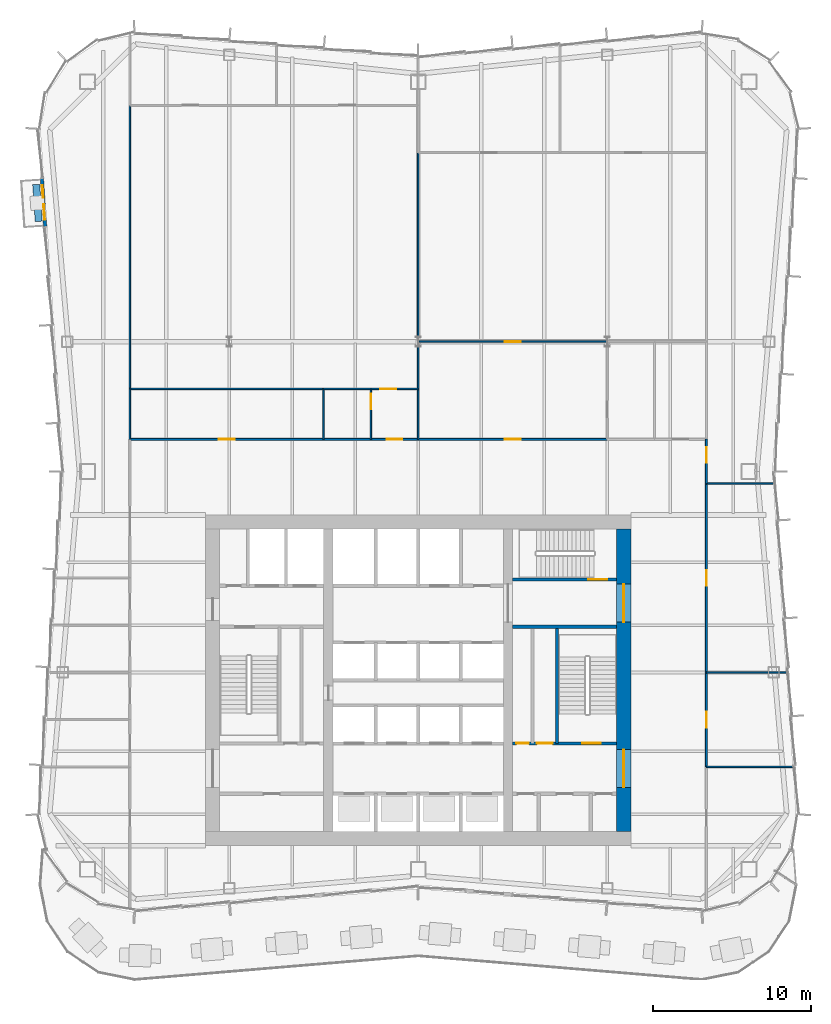
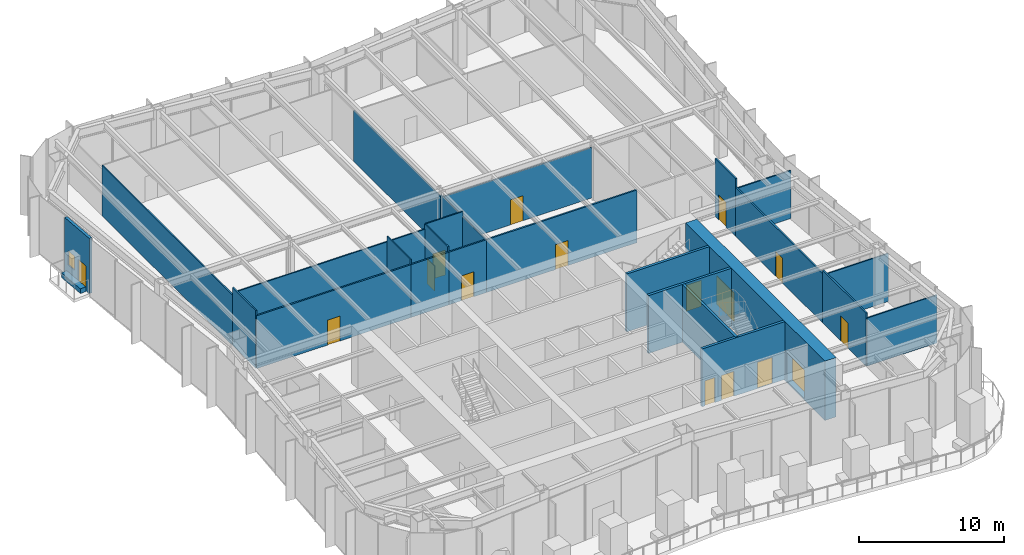
# One storey, part 11 of 16: 28 walls, 16 doors, 1 window, 17 openings.
"""IFC4 building model written with IfcOpenShell, lengths in metres."""

from ifc_helpers import new_model, si_unit, direction, frame, frame_2d, origin, place, context, subcontext, project, spatial, rectangle, extrude, material, layer, layer_set, type_object, element, fill, save


model = new_model("IFC4")

# Units and contexts
model_context = context("Model", 3, precision=1e-05, world=origin(), true_north=direction((0.0, 1.0)))
body_context = subcontext(model_context, "Body", "Model", "MODEL_VIEW")
ifc_project = project(units=[si_unit("LENGTHUNIT", "METRE"), si_unit("AREAUNIT", "SQUARE_METRE"), si_unit("VOLUMEUNIT", "CUBIC_METRE"), si_unit("PLANEANGLEUNIT", "RADIAN"), si_unit("MASSUNIT", "GRAM", prefix="KILO")], contexts=[model_context])

# Site, building, storey
site_placement = place(None, origin())
site = spatial("IfcSite", under=ifc_project, at=site_placement, CompositionType="ELEMENT")
building_placement = place(site_placement, origin())
building = spatial("IfcBuilding", under=site, at=building_placement, Name="Verdant Reach Tower", CompositionType="ELEMENT")
storey_placement = place(building_placement, frame((0.0, 0.0, 177.0)))
storey = spatial("IfcBuildingStorey", under=building, at=storey_placement, Name="L40", CompositionType="ELEMENT", Elevation=177.0)

# Wall, openings, doors
ifc_material_1 = material(Name="Concrete C40/50", Category="concrete")
ifc_layer_1 = layer(ifc_material_1, 0.199951171875)
ifc_layer_set_1 = layer_set([ifc_layer_1], Name="CO-WALL-STAIR")
wall_type_1 = type_object("IfcWallType", Name="CO-WALL-STAIR", PredefinedType="PARTITIONING", material=ifc_layer_set_1)
wall_1_placement = place(storey_placement, frame((6.0, 24.0, 0.0), z_axis=(0.0, 0.0, 1.0), x_axis=(1.0, 0.0, 0.0)))
wall_1 = element("IfcWall", 1, at=wall_1_placement, inside=storey, type_object=wall_type_1, Name="Stair enclosure wall, L40", PredefinedType="PARTITIONING", context=body_context, shape_type="SweptSolid", body=[
    extrude(rectangle(XDim=6.60009765625, YDim=0.199951171875, at=frame_2d((3.300048828125, 0.0))), origin(), (0.0, 0.0, 1.0), 4.8701171875),
])
opening_1_placement = place(wall_1_placement, frame((0.22998046875, 0.0, 0.0)))
opening_1 = element("IfcOpeningElement", 2, at=opening_1_placement, cuts=wall_1, Name="Opening CDN", PredefinedType="OPENING", context=body_context, shape_type="SweptSolid", body=[
    extrude(rectangle(XDim=0.800048828125, YDim=2.10009765625, at=frame_2d((0.39990234375, 1.050048828125))), frame((0.0, 0.10986328125, 0.0), z_axis=(0.0, -1.0, 0.0), x_axis=(1.0, 0.0, 0.0)), (0.0, 0.0, 1.0), 0.219970703125),
])
opening_2_placement = place(wall_1_placement, frame((1.530029296875, 0.0, 0.0)))
opening_2 = element("IfcOpeningElement", 3, at=opening_2_placement, cuts=wall_1, Name="Opening CD", PredefinedType="OPENING", context=body_context, shape_type="SweptSolid", body=[
    extrude(rectangle(XDim=1.0, YDim=2.10009765625, at=frame_2d((0.5, 1.050048828125))), frame((0.0, 0.10986328125, 0.0), z_axis=(0.0, -1.0, 0.0), x_axis=(1.0, 0.0, 0.0)), (0.0, 0.0, 1.0), 0.219970703125),
])
opening_3_placement = place(wall_1_placement, frame((4.39990234375, 0.0, 0.0)))
opening_3 = element("IfcOpeningElement", 4, at=opening_3_placement, cuts=wall_1, Name="Opening SD", PredefinedType="OPENING", context=body_context, shape_type="SweptSolid", body=[
    extrude(rectangle(XDim=1.199951171875, YDim=2.199951171875, at=frame_2d((0.60009765625, 1.10009765625))), frame((0.0, 0.10986328125, 0.0), z_axis=(0.0, -1.0, 0.0), x_axis=(1.0, 0.0, 0.0)), (0.0, 0.0, 1.0), 0.219970703125),
])
ifc_material_2 = material(Name="Timber", Category="wood")
door_type_1 = type_object("IfcDoorType", Name="CO-DOOR-ROOM", OperationType="NOTDEFINED", PredefinedType="DOOR", material=ifc_material_2)
door_1_placement = place(opening_2_placement, origin())
door_1 = element("IfcDoor", 5, at=door_1_placement, inside=storey, type_object=door_type_1, Name="Core room door, L40", OperationType="SINGLE_SWING_LEFT", OverallHeight=2.10009765625, OverallWidth=1.0, PredefinedType="DOOR", context=body_context, shape_type="SweptSolid", body=[
    extrude(rectangle(XDim=1.0, YDim=2.10009765625, at=frame_2d((0.5, 1.050048828125))), frame((0.0, 0.02490234375, 0.0), z_axis=(0.0, -1.0, 0.0), x_axis=(1.0, 0.0, 0.0)), (0.0, 0.0, 1.0), 0.050048828125),
])
fill(opening_2, door_1)
door_type_2 = type_object("IfcDoorType", Name="CO-DOOR-ROOM-NARROW", OperationType="NOTDEFINED", PredefinedType="DOOR", material=ifc_material_2)
door_2_placement = place(opening_1_placement, origin())
door_2 = element("IfcDoor", 6, at=door_2_placement, inside=storey, type_object=door_type_2, Name="Core room door, L40", OperationType="SINGLE_SWING_RIGHT", OverallHeight=2.10009765625, OverallWidth=0.800048828125, PredefinedType="DOOR", context=body_context, shape_type="SweptSolid", body=[
    extrude(rectangle(XDim=0.800048828125, YDim=2.10009765625, at=frame_2d((0.39990234375, 1.050048828125))), frame((0.0, 0.02490234375, 0.0), z_axis=(0.0, -1.0, 0.0), x_axis=(1.0, 0.0, 0.0)), (0.0, 0.0, 1.0), 0.050048828125),
])
fill(opening_1, door_2)
ifc_material_3 = material(Name="Steel", Category="steel")
door_type_3 = type_object("IfcDoorType", Name="CO-DOOR-STAIR", OperationType="NOTDEFINED", PredefinedType="DOOR", material=ifc_material_3)
door_3_placement = place(opening_3_placement, origin())
door_3 = element("IfcDoor", 7, at=door_3_placement, inside=storey, type_object=door_type_3, Name="Stair door, L40", OperationType="SINGLE_SWING_LEFT", OverallHeight=2.199951171875, OverallWidth=1.199951171875, PredefinedType="DOOR", context=body_context, shape_type="SweptSolid", body=[
    extrude(rectangle(XDim=1.199951171875, YDim=2.199951171875, at=frame_2d((0.60009765625, 1.10009765625))), frame((0.0, 0.02490234375, 0.0), z_axis=(0.0, -1.0, 0.0), x_axis=(1.0, 0.0, 0.0)), (0.0, 0.0, 1.0), 0.050048828125),
])
fill(opening_3, door_3)

# Wall
wall_2_placement = place(storey_placement, frame((6.0, 31.39990234375, 0.0), z_axis=(0.0, 0.0, 1.0), x_axis=(1.0, 0.0, 0.0)))
element("IfcWall", 8, at=wall_2_placement, inside=storey, type_object=wall_type_1, Name="Stair enclosure wall, L40", PredefinedType="PARTITIONING", context=body_context, shape_type="SweptSolid", body=[
    extrude(rectangle(XDim=6.60009765625, YDim=0.199951171875, at=frame_2d((3.300048828125, 0.0))), origin(), (0.0, 0.0, 1.0), 4.8701171875),
])

# Wall, opening, door
wall_3_placement = place(storey_placement, frame((6.0, 34.39990234375, 0.0), z_axis=(0.0, 0.0, 1.0), x_axis=(1.0, 0.0, 0.0)))
wall_3 = element("IfcWall", 9, at=wall_3_placement, inside=storey, type_object=wall_type_1, Name="Stair enclosure wall, L40", PredefinedType="PARTITIONING", context=body_context, shape_type="SweptSolid", body=[
    extrude(rectangle(XDim=6.60009765625, YDim=0.199951171875, at=frame_2d((3.300048828125, 0.0))), origin(), (0.0, 0.0, 1.0), 4.8701171875),
])
opening_4_placement = place(wall_3_placement, frame((4.800048828125, 0.0, 0.0)))
opening_4 = element("IfcOpeningElement", 10, at=opening_4_placement, cuts=wall_3, Name="Opening SD", PredefinedType="OPENING", context=body_context, shape_type="SweptSolid", body=[
    extrude(rectangle(XDim=1.199951171875, YDim=2.199951171875, at=frame_2d((0.60009765625, 1.10009765625))), frame((0.0, 0.10986328125, 0.0), z_axis=(0.0, -1.0, 0.0), x_axis=(1.0, 0.0, 0.0)), (0.0, 0.0, 1.0), 0.219970703125),
])
door_4_placement = place(opening_4_placement, origin())
door_4 = element("IfcDoor", 11, at=door_4_placement, inside=storey, type_object=door_type_3, Name="Stair door, L40", OperationType="SINGLE_SWING_RIGHT", OverallHeight=2.199951171875, OverallWidth=1.199951171875, PredefinedType="DOOR", context=body_context, shape_type="SweptSolid", body=[
    extrude(rectangle(XDim=1.199951171875, YDim=2.199951171875, at=frame_2d((0.60009765625, 1.10009765625))), frame((0.0, 0.02490234375, 0.0), z_axis=(0.0, -1.0, 0.0), x_axis=(1.0, 0.0, 0.0)), (0.0, 0.0, 1.0), 0.050048828125),
])
fill(opening_4, door_4)

# Wall
wall_4_placement = place(storey_placement, frame((8.800048828125, 24.0, 0.0), z_axis=(0.0, 0.0, 1.0), x_axis=(0.0, 1.0, 0.0)))
element("IfcWall", 12, at=wall_4_placement, inside=storey, type_object=wall_type_1, Name="Stair enclosure wall, L40", PredefinedType="PARTITIONING", context=body_context, shape_type="SweptSolid", body=[
    extrude(rectangle(XDim=7.39990234375, YDim=0.199951171875, at=frame_2d((3.699951171875, 0.0))), origin(), (0.0, 0.0, 1.0), 4.8701171875),
])

# Wall, openings, door, window
ifc_material_4 = material(Name="Insulated bronze aluminium panel wall", Category="aluminium")
ifc_layer_2 = layer(ifc_material_4, 0.219970703125)
ifc_layer_set_2 = layer_set([ifc_layer_2], Name="EN-INFILL WALL")
wall_type_2 = type_object("IfcWallType", Name="EN-INFILL WALL", PredefinedType="SOLIDWALL", material=ifc_layer_set_2)
wall_5_placement = place(storey_placement, frame((-23.89208984375, 59.8525390625, 0.0), z_axis=(0.0, 0.0, 1.0), x_axis=(0.068788350144, -0.997631276016, 0.0)))
wall_5 = element("IfcWall", 13, at=wall_5_placement, inside=storey, type_object=wall_type_2, Name="External infill wall, balcony bay 1, L40", PredefinedType="SOLIDWALL", context=body_context, shape_type="SweptSolid", body=[
    extrude(rectangle(XDim=3.048828125, YDim=0.218017578125, at=frame_2d((1.5244140625, 0.0))), origin(), (0.0, 0.0, 1.0), 4.64990234375),
])
opening_5_placement = place(wall_5_placement, frame((1.63232421875, 0.0, 0.0)))
opening_5 = element("IfcOpeningElement", 14, at=opening_5_placement, cuts=wall_5, Name="Opening BD1", PredefinedType="OPENING", context=body_context, shape_type="SweptSolid", body=[
    extrude(rectangle(XDim=1.0, YDim=2.10009765625, at=frame_2d((0.5, 1.050048828125))), frame((0.0, 0.118896484375, 0.0), z_axis=(0.0, -1.0, 0.0), x_axis=(1.0, 0.0, 0.0)), (0.0, 0.0, 1.0), 0.238037109375),
])
opening_6_placement = place(wall_5_placement, frame((0.416259765625, 0.0, 0.89990234375)))
opening_6 = element("IfcOpeningElement", 15, at=opening_6_placement, cuts=wall_5, Name="Opening BW1", PredefinedType="OPENING", context=body_context, shape_type="SweptSolid", body=[
    extrude(rectangle(XDim=0.800048828125, YDim=1.199951171875, at=frame_2d((0.39990234375, 0.60009765625))), frame((0.0, 0.118896484375, 0.0), z_axis=(0.0, -1.0, 0.0), x_axis=(1.0, 0.0, 0.0)), (0.0, 0.0, 1.0), 0.238037109375),
])
ifc_material_5 = material(Name="Aluminium framed glazed door", Category="aluminium")
door_type_4 = type_object("IfcDoorType", Name="EN-DOOR BALCONY", OperationType="NOTDEFINED", PredefinedType="DOOR", material=ifc_material_5)
door_5_placement = place(opening_5_placement, origin())
door_5 = element("IfcDoor", 16, at=door_5_placement, inside=storey, type_object=door_type_4, Name="Balcony door 1, L40", OperationType="SINGLE_SWING_RIGHT", OverallHeight=2.10009765625, OverallWidth=1.0, PredefinedType="DOOR", context=body_context, shape_type="SweptSolid", body=[
    extrude(rectangle(XDim=1.0, YDim=2.10009765625, at=frame_2d((0.5, 1.050048828125))), frame((0.0, 0.02490234375, 0.0), z_axis=(0.0, -1.0, 0.0), x_axis=(1.0, 0.0, 0.0)), (0.0, 0.0, 1.0), 0.050048828125),
])
fill(opening_5, door_5)
ifc_material_6 = material(Name="Aluminium framed glazing", Category="aluminium")
window_type = type_object("IfcWindowType", Name="EN-WINDOW BALCONY", PartitioningType="SINGLE_PANEL", PredefinedType="WINDOW", material=ifc_material_6)
window_placement = place(opening_6_placement, origin())
window = element("IfcWindow", 17, at=window_placement, inside=storey, type_object=window_type, Name="Balcony window 1, L40", OverallHeight=1.199951171875, OverallWidth=0.800048828125, PartitioningType="SINGLE_PANEL", PredefinedType="WINDOW", context=body_context, shape_type="SweptSolid", body=[
    extrude(rectangle(XDim=0.800048828125, YDim=1.199951171875, at=frame_2d((0.39990234375, 0.60009765625))), frame((0.0, 0.030029296875, 0.0), z_axis=(0.0, -1.0, 0.0), x_axis=(1.0, 0.0, 0.0)), (0.0, 0.0, 1.0), 0.06005859375),
])
fill(opening_6, window)

# Walls
ifc_material_7 = material(Name="Precast concrete C30/37", Category="concrete")
ifc_layer_3 = layer(ifc_material_7, 0.449951171875)
ifc_layer_set_3 = layer_set([ifc_layer_3], Name="EN-PLANTER")
wall_type_3 = type_object("IfcWallType", Name="EN-PLANTER", PredefinedType="USERDEFINED", material=ifc_layer_set_3)
wall_6_placement = place(storey_placement, frame((-24.251220703125, 59.476806640625, 0.0), z_axis=(0.0, 0.0, 1.0), x_axis=(0.068816361971, -0.997629344158, 0.0)))
element("IfcWall", 18, at=wall_6_placement, inside=storey, type_object=wall_type_3, Name="Balcony planter 1, L40", ObjectType="PLANTER", PredefinedType="USERDEFINED", context=body_context, shape_type="SweptSolid", body=[
    extrude(rectangle(XDim=2.3486328125, YDim=0.449951171875, at=frame_2d((1.17431640625, 0.0))), origin(), (0.0, 0.0, 1.0), 0.39990234375),
])
ifc_material_8 = material(Name="Gypsum board on steel studs", Category="steel")
ifc_layer_4 = layer(ifc_material_8, 0.10009765625)
ifc_layer_set_4 = layer_set([ifc_layer_4], Name="FL-W1 Partition 100")
wall_type_4 = type_object("IfcWallType", Name="FL-W1 Partition 100", PredefinedType="PARTITIONING", material=ifc_layer_set_4)
wall_7_placement = place(storey_placement, frame((-6.0, 43.300048828125, 0.0), z_axis=(0.0, 0.0, 1.0), x_axis=(0.0, 1.0, 0.0)))
element("IfcWall", 19, at=wall_7_placement, inside=storey, type_object=wall_type_4, Name="Partition 40.17", PredefinedType="PARTITIONING", context=body_context, shape_type="SweptSolid", body=[
    extrude(rectangle(XDim=3.199951171875, YDim=0.10009765625, at=frame_2d((1.60009765625, 0.0))), origin(), (0.0, 0.0, 1.0), 4.8701171875),
])
wall_8_placement = place(storey_placement, frame((-5.99609375, 46.5, 0.0), z_axis=(0.0, 0.0, 1.0), x_axis=(-1.0, 0.0, 0.0)))
element("IfcWall", 20, at=wall_8_placement, inside=storey, type_object=wall_type_4, Name="Partition 40.18", PredefinedType="PARTITIONING", context=body_context, shape_type="SweptSolid", body=[
    extrude(rectangle(XDim=12.303955078125, YDim=0.10009765625, at=frame_2d((6.15185546875, 0.0))), origin(), (0.0, 0.0, 1.0), 4.43994140625),
])
wall_9_placement = place(storey_placement, frame((-18.300048828125, 46.50390625, 0.0), z_axis=(0.0, 0.0, 1.0), x_axis=(0.0, -1.0, 0.0)))
element("IfcWall", 21, at=wall_9_placement, inside=storey, type_object=wall_type_4, Name="Partition 40.19", PredefinedType="PARTITIONING", context=body_context, shape_type="SweptSolid", body=[
    extrude(rectangle(XDim=3.2080078125, YDim=0.10009765625, at=frame_2d((1.60400390625, 0.0))), origin(), (0.0, 0.0, 1.0), 4.8701171875),
])

# Wall, opening, door
wall_10_placement = place(storey_placement, frame((-3.0, 43.300048828125, 0.0), z_axis=(0.0, 0.0, 1.0), x_axis=(0.0, 1.0, 0.0)))
wall_10 = element("IfcWall", 22, at=wall_10_placement, inside=storey, type_object=wall_type_4, Name="Partition 40.20", PredefinedType="PARTITIONING", context=body_context, shape_type="SweptSolid", body=[
    extrude(rectangle(XDim=3.199951171875, YDim=0.10009765625, at=frame_2d((1.60009765625, 0.0))), origin(), (0.0, 0.0, 1.0), 4.8701171875),
])
opening_7_placement = place(wall_10_placement, frame((1.89990234375, 0.0, 0.0)))
opening_7 = element("IfcOpeningElement", 23, at=opening_7_placement, cuts=wall_10, Name="Opening D3", PredefinedType="OPENING", context=body_context, shape_type="SweptSolid", body=[
    extrude(rectangle(XDim=1.0, YDim=2.10009765625, at=frame_2d((0.5, 1.050048828125))), frame((0.0, 0.06005859375, 0.0), z_axis=(0.0, -1.0, 0.0), x_axis=(1.0, 0.0, 0.0)), (0.0, 0.0, 1.0), 0.1201171875),
])
ifc_material_9 = material(Name="Painted timber door leaf", Category="wood")
door_type_5 = type_object("IfcDoorType", Name="FL-D3 Door 1000x2100", OperationType="NOTDEFINED", PredefinedType="DOOR", material=ifc_material_9)
door_6_placement = place(opening_7_placement, origin())
door_6 = element("IfcDoor", 24, at=door_6_placement, inside=storey, type_object=door_type_5, Name="Door 40-015", OperationType="SINGLE_SWING_RIGHT", OverallHeight=2.10009765625, OverallWidth=1.0, PredefinedType="DOOR", context=body_context, shape_type="SweptSolid", body=[
    extrude(rectangle(XDim=1.0, YDim=2.10009765625, at=frame_2d((0.5, 1.050048828125))), frame((0.0, 0.02490234375, 0.0), z_axis=(0.0, -1.0, 0.0), x_axis=(1.0, 0.0, 0.0)), (0.0, 0.0, 1.0), 0.050048828125),
])
fill(opening_7, door_6)

# Wall
wall_11_placement = place(storey_placement, frame((-2.99609375, 46.5, 0.0), z_axis=(0.0, 0.0, 1.0), x_axis=(-1.0, 0.0, 0.0)))
element("IfcWall", 25, at=wall_11_placement, inside=storey, type_object=wall_type_4, Name="Partition 40.21", PredefinedType="PARTITIONING", context=body_context, shape_type="SweptSolid", body=[
    extrude(rectangle(XDim=3.0078125, YDim=0.10009765625, at=frame_2d((1.50390625, 0.0))), origin(), (0.0, 0.0, 1.0), 4.43994140625),
])

# Wall, opening, door
wall_12_placement = place(storey_placement, frame((-3.00390625, 46.5, 0.0), z_axis=(0.0, 0.0, 1.0), x_axis=(1.0, 0.0, 0.0)))
wall_12 = element("IfcWall", 26, at=wall_12_placement, inside=storey, type_object=wall_type_4, Name="Partition 40.22", PredefinedType="PARTITIONING", context=body_context, shape_type="SweptSolid", body=[
    extrude(rectangle(XDim=3.00390625, YDim=0.10009765625, at=frame_2d((1.501953125, 0.0))), origin(), (0.0, 0.0, 1.0), 4.8701171875),
])
opening_8_placement = place(wall_12_placement, frame((0.60205078125, 0.0, 0.0)))
opening_8 = element("IfcOpeningElement", 27, at=opening_8_placement, cuts=wall_12, Name="Opening D3", PredefinedType="OPENING", context=body_context, shape_type="SweptSolid", body=[
    extrude(rectangle(XDim=1.0, YDim=2.10009765625, at=frame_2d((0.5, 1.050048828125))), frame((0.0, 0.06005859375, 0.0), z_axis=(0.0, -1.0, 0.0), x_axis=(1.0, 0.0, 0.0)), (0.0, 0.0, 1.0), 0.1201171875),
])
door_7_placement = place(opening_8_placement, origin())
door_7 = element("IfcDoor", 28, at=door_7_placement, inside=storey, type_object=door_type_5, Name="Door 40-016", OperationType="SINGLE_SWING_LEFT", OverallHeight=2.10009765625, OverallWidth=1.0, PredefinedType="DOOR", context=body_context, shape_type="SweptSolid", body=[
    extrude(rectangle(XDim=1.0, YDim=2.10009765625, at=frame_2d((0.5, 1.050048828125))), frame((0.0, 0.02490234375, 0.0), z_axis=(0.0, -1.0, 0.0), x_axis=(1.0, 0.0, 0.0)), (0.0, 0.0, 1.0), 0.050048828125),
])
fill(opening_8, door_7)

# Walls
wall_13_placement = place(storey_placement, frame((0.0, 43.300048828125, 0.0), z_axis=(0.0, 0.0, 1.0), x_axis=(0.0, 1.0, 0.0)))
element("IfcWall", 29, at=wall_13_placement, inside=storey, type_object=wall_type_4, Name="Partition 40.23", PredefinedType="PARTITIONING", context=body_context, shape_type="SweptSolid", body=[
    extrude(rectangle(XDim=3.203857421875, YDim=0.10009765625, at=frame_2d((1.60205078125, 0.0))), origin(), (0.0, 0.0, 1.0), 4.43994140625),
])
wall_14_placement = place(storey_placement, frame((0.0, 46.49609375, 0.0), z_axis=(0.0, 0.0, 1.0), x_axis=(0.0, 1.0, 0.0)))
element("IfcWall", 30, at=wall_14_placement, inside=storey, type_object=wall_type_4, Name="Partition 40.26", PredefinedType="PARTITIONING", context=body_context, shape_type="SweptSolid", body=[
    extrude(rectangle(XDim=3.00390625, YDim=0.10009765625, at=frame_2d((1.501953125, 0.0))), origin(), (0.0, 0.0, 1.0), 4.43994140625),
])
wall_15_placement = place(storey_placement, frame((0.0, 49.5, 0.0), z_axis=(0.0, 0.0, 1.0), x_axis=(0.0, 1.0, 0.0)))
element("IfcWall", 31, at=wall_15_placement, inside=storey, type_object=wall_type_4, Name="Partition 40.27", PredefinedType="PARTITIONING", context=body_context, shape_type="SweptSolid", body=[
    extrude(rectangle(XDim=12.0, YDim=0.10009765625, at=frame_2d((6.0, 0.0))), origin(), (0.0, 0.0, 1.0), 4.2900390625),
])
wall_16_placement = place(storey_placement, frame((-18.300048828125, 64.50390625, 0.0), z_axis=(0.0, 0.0, 1.0), x_axis=(0.0, -1.0, 0.0)))
element("IfcWall", 32, at=wall_16_placement, inside=storey, type_object=wall_type_4, Name="Partition 40.29", PredefinedType="PARTITIONING", context=body_context, shape_type="SweptSolid", body=[
    extrude(rectangle(XDim=18.0078125, YDim=0.10009765625, at=frame_2d((9.00390625, 0.0))), origin(), (0.0, 0.0, 1.0), 4.239990234375),
])

# Wall, opening, door
wall_17_placement = place(storey_placement, frame((0.0, 49.5, 0.0), z_axis=(0.0, 0.0, 1.0), x_axis=(1.0, 0.0, 0.0)))
wall_17 = element("IfcWall", 33, at=wall_17_placement, inside=storey, type_object=wall_type_4, Name="Partition 40.34", PredefinedType="PARTITIONING", context=body_context, shape_type="SweptSolid", body=[
    extrude(rectangle(XDim=12.00390625, YDim=0.10009765625, at=frame_2d((6.001953125, 0.0))), origin(), (0.0, 0.0, 1.0), 4.239990234375),
])
opening_9_placement = place(wall_17_placement, frame((5.501953125, 0.0, 0.0)))
opening_9 = element("IfcOpeningElement", 34, at=opening_9_placement, cuts=wall_17, Name="Opening D3", PredefinedType="OPENING", context=body_context, shape_type="SweptSolid", body=[
    extrude(rectangle(XDim=1.0, YDim=2.10009765625, at=frame_2d((0.5, 1.050048828125))), frame((0.0, 0.06005859375, 0.0), z_axis=(0.0, -1.0, 0.0), x_axis=(1.0, 0.0, 0.0)), (0.0, 0.0, 1.0), 0.1201171875),
])
door_8_placement = place(opening_9_placement, origin())
door_8 = element("IfcDoor", 35, at=door_8_placement, inside=storey, type_object=door_type_5, Name="Door 40-020", OperationType="SINGLE_SWING_RIGHT", OverallHeight=2.10009765625, OverallWidth=1.0, PredefinedType="DOOR", context=body_context, shape_type="SweptSolid", body=[
    extrude(rectangle(XDim=1.0, YDim=2.10009765625, at=frame_2d((0.5, 1.050048828125))), frame((0.0, 0.02490234375, 0.0), z_axis=(0.0, -1.0, 0.0), x_axis=(1.0, 0.0, 0.0)), (0.0, 0.0, 1.0), 0.050048828125),
])
fill(opening_9, door_8)

# Walls
wall_18_placement = place(storey_placement, frame((23.873046875, 22.5, 0.0), z_axis=(0.0, 0.0, 1.0), x_axis=(-1.0, 0.0, 0.0)))
element("IfcWall", 36, at=wall_18_placement, inside=storey, type_object=wall_type_4, Name="Partition 40.49", PredefinedType="PARTITIONING", context=body_context, shape_type="SweptSolid", body=[
    extrude(rectangle(XDim=5.572998046875, YDim=0.10009765625, at=frame_2d((2.78662109375, 0.0))), origin(), (0.0, 0.0, 1.0), 4.0400390625),
])
wall_19_placement = place(storey_placement, frame((23.459228515625, 28.5, 0.0), z_axis=(0.0, 0.0, 1.0), x_axis=(-1.0, 0.0, 0.0)))
element("IfcWall", 37, at=wall_19_placement, inside=storey, type_object=wall_type_4, Name="Partition 40.50", PredefinedType="PARTITIONING", context=body_context, shape_type="SweptSolid", body=[
    extrude(rectangle(XDim=5.1591796875, YDim=0.10009765625, at=frame_2d((2.57958984375, 0.0))), origin(), (0.0, 0.0, 1.0), 4.0400390625),
])
wall_20_placement = place(storey_placement, frame((22.631591796875, 40.5, 0.0), z_axis=(0.0, 0.0, 1.0), x_axis=(-1.0, 0.0, 0.0)))
element("IfcWall", 38, at=wall_20_placement, inside=storey, type_object=wall_type_4, Name="Partition 40.51", PredefinedType="PARTITIONING", context=body_context, shape_type="SweptSolid", body=[
    extrude(rectangle(XDim=4.33154296875, YDim=0.10009765625, at=frame_2d((2.165771484375, 0.0))), origin(), (0.0, 0.0, 1.0), 4.0400390625),
])

# Wall, opening, door
ifc_material_10 = material(Name="Gypsum board on steel studs, fire rated", Category="steel")
ifc_layer_5 = layer(ifc_material_10, 0.125)
ifc_layer_set_5 = layer_set([ifc_layer_5], Name="FL-W2 Corridor wall 125")
wall_type_5 = type_object("IfcWallType", Name="FL-W2 Corridor wall 125", PredefinedType="PARTITIONING", material=ifc_layer_set_5)
wall_21_placement = place(storey_placement, frame((-18.300048828125, 43.300048828125, 0.0), z_axis=(0.0, 0.0, 1.0), x_axis=(1.0, 0.0, 0.0)))
wall_21 = element("IfcWall", 39, at=wall_21_placement, inside=storey, type_object=wall_type_5, Name="Partition 40.01", PredefinedType="PARTITIONING", context=body_context, shape_type="SweptSolid", body=[
    extrude(rectangle(XDim=12.300048828125, YDim=0.125, at=frame_2d((6.14990234375, 0.0))), origin(), (0.0, 0.0, 1.0), 4.43994140625),
])
opening_10_placement = place(wall_21_placement, frame((5.64990234375, 0.0, 0.0)))
opening_10 = element("IfcOpeningElement", 40, at=opening_10_placement, cuts=wall_21, Name="Opening D2", PredefinedType="OPENING", context=body_context, shape_type="SweptSolid", body=[
    extrude(rectangle(XDim=1.0, YDim=2.10009765625, at=frame_2d((0.5, 1.050048828125))), frame((0.0, 0.072509765625, 0.0), z_axis=(0.0, -1.0, 0.0), x_axis=(1.0, 0.0, 0.0)), (0.0, 0.0, 1.0), 0.14501953125),
])
ifc_material_11 = material(Name="Timber door leaf, fire rated", Category="wood")
door_type_6 = type_object("IfcDoorType", Name="FL-D2 Entrance door 1000x2100 FD30", OperationType="NOTDEFINED", PredefinedType="DOOR", material=ifc_material_11)
door_9_placement = place(opening_10_placement, origin())
door_9 = element("IfcDoor", 41, at=door_9_placement, inside=storey, type_object=door_type_6, Name="Door 40-001", OperationType="SINGLE_SWING_LEFT", OverallHeight=2.10009765625, OverallWidth=1.0, PredefinedType="DOOR", context=body_context, shape_type="SweptSolid", body=[
    extrude(rectangle(XDim=1.0, YDim=2.10009765625, at=frame_2d((0.5, 1.050048828125))), frame((0.0, 0.02490234375, 0.0), z_axis=(0.0, -1.0, 0.0), x_axis=(1.0, 0.0, 0.0)), (0.0, 0.0, 1.0), 0.050048828125),
])
fill(opening_10, door_9)

# Wall
wall_22_placement = place(storey_placement, frame((-3.0, 43.300048828125, 0.0), z_axis=(0.0, 0.0, 1.0), x_axis=(-1.0, 0.0, 0.0)))
element("IfcWall", 42, at=wall_22_placement, inside=storey, type_object=wall_type_5, Name="Partition 40.02", PredefinedType="PARTITIONING", context=body_context, shape_type="SweptSolid", body=[
    extrude(rectangle(XDim=3.0, YDim=0.125, at=frame_2d((1.5, 0.0))), origin(), (0.0, 0.0, 1.0), 4.43994140625),
])

# Wall, opening, door
wall_23_placement = place(storey_placement, frame((-3.0, 43.300048828125, 0.0), z_axis=(0.0, 0.0, 1.0), x_axis=(1.0, 0.0, 0.0)))
wall_23 = element("IfcWall", 43, at=wall_23_placement, inside=storey, type_object=wall_type_5, Name="Partition 40.03", PredefinedType="PARTITIONING", context=body_context, shape_type="SweptSolid", body=[
    extrude(rectangle(XDim=3.0, YDim=0.125, at=frame_2d((1.5, 0.0))), origin(), (0.0, 0.0, 1.0), 4.43994140625),
])
opening_11_placement = place(wall_23_placement, frame((1.0, 0.0, 0.0)))
opening_11 = element("IfcOpeningElement", 44, at=opening_11_placement, cuts=wall_23, Name="Opening D2", PredefinedType="OPENING", context=body_context, shape_type="SweptSolid", body=[
    extrude(rectangle(XDim=1.0, YDim=2.10009765625, at=frame_2d((0.5, 1.050048828125))), frame((0.0, 0.072509765625, 0.0), z_axis=(0.0, -1.0, 0.0), x_axis=(1.0, 0.0, 0.0)), (0.0, 0.0, 1.0), 0.14501953125),
])
door_10_placement = place(opening_11_placement, origin())
door_10 = element("IfcDoor", 45, at=door_10_placement, inside=storey, type_object=door_type_6, Name="Door 40-002", OperationType="SINGLE_SWING_RIGHT", OverallHeight=2.10009765625, OverallWidth=1.0, PredefinedType="DOOR", context=body_context, shape_type="SweptSolid", body=[
    extrude(rectangle(XDim=1.0, YDim=2.10009765625, at=frame_2d((0.5, 1.050048828125))), frame((0.0, 0.02490234375, 0.0), z_axis=(0.0, -1.0, 0.0), x_axis=(1.0, 0.0, 0.0)), (0.0, 0.0, 1.0), 0.050048828125),
])
fill(opening_11, door_10)

wall_24_placement = place(storey_placement, frame((12.0, 43.300048828125, 0.0), z_axis=(0.0, 0.0, 1.0), x_axis=(-1.0, 0.0, 0.0)))
wall_24 = element("IfcWall", 46, at=wall_24_placement, inside=storey, type_object=wall_type_5, Name="Partition 40.04", PredefinedType="PARTITIONING", context=body_context, shape_type="SweptSolid", body=[
    extrude(rectangle(XDim=12.0, YDim=0.125, at=frame_2d((6.0, 0.0))), origin(), (0.0, 0.0, 1.0), 4.43994140625),
])
opening_12_placement = place(wall_24_placement, frame((5.5, 0.0, 0.0)))
opening_12 = element("IfcOpeningElement", 47, at=opening_12_placement, cuts=wall_24, Name="Opening D2", PredefinedType="OPENING", context=body_context, shape_type="SweptSolid", body=[
    extrude(rectangle(XDim=1.0, YDim=2.10009765625, at=frame_2d((0.5, 1.050048828125))), frame((0.0, 0.072509765625, 0.0), z_axis=(0.0, -1.0, 0.0), x_axis=(1.0, 0.0, 0.0)), (0.0, 0.0, 1.0), 0.14501953125),
])
door_11_placement = place(opening_12_placement, origin())
door_11 = element("IfcDoor", 48, at=door_11_placement, inside=storey, type_object=door_type_6, Name="Door 40-003", OperationType="SINGLE_SWING_LEFT", OverallHeight=2.10009765625, OverallWidth=1.0, PredefinedType="DOOR", context=body_context, shape_type="SweptSolid", body=[
    extrude(rectangle(XDim=1.0, YDim=2.10009765625, at=frame_2d((0.5, 1.050048828125))), frame((0.0, 0.02490234375, 0.0), z_axis=(0.0, -1.0, 0.0), x_axis=(1.0, 0.0, 0.0)), (0.0, 0.0, 1.0), 0.050048828125),
])
fill(opening_12, door_11)

wall_25_placement = place(storey_placement, frame((18.300048828125, 28.5, 0.0), z_axis=(0.0, 0.0, 1.0), x_axis=(0.0, -1.0, 0.0)))
wall_25 = element("IfcWall", 49, at=wall_25_placement, inside=storey, type_object=wall_type_5, Name="Partition 40.14", PredefinedType="PARTITIONING", context=body_context, shape_type="SweptSolid", body=[
    extrude(rectangle(XDim=6.0, YDim=0.125, at=frame_2d((3.0, 0.0))), origin(), (0.0, 0.0, 1.0), 4.43994140625),
])
opening_13_placement = place(wall_25_placement, frame((2.5, 0.0, 0.0)))
opening_13 = element("IfcOpeningElement", 50, at=opening_13_placement, cuts=wall_25, Name="Opening D2", PredefinedType="OPENING", context=body_context, shape_type="SweptSolid", body=[
    extrude(rectangle(XDim=1.0, YDim=2.10009765625, at=frame_2d((0.5, 1.050048828125))), frame((0.0, 0.072509765625, 0.0), z_axis=(0.0, -1.0, 0.0), x_axis=(1.0, 0.0, 0.0)), (0.0, 0.0, 1.0), 0.14501953125),
])
door_12_placement = place(opening_13_placement, origin())
door_12 = element("IfcDoor", 51, at=door_12_placement, inside=storey, type_object=door_type_6, Name="Door 40-012", OperationType="SINGLE_SWING_RIGHT", OverallHeight=2.10009765625, OverallWidth=1.0, PredefinedType="DOOR", context=body_context, shape_type="SweptSolid", body=[
    extrude(rectangle(XDim=1.0, YDim=2.10009765625, at=frame_2d((0.5, 1.050048828125))), frame((0.0, 0.02490234375, 0.0), z_axis=(0.0, -1.0, 0.0), x_axis=(1.0, 0.0, 0.0)), (0.0, 0.0, 1.0), 0.050048828125),
])
fill(opening_13, door_12)

wall_26_placement = place(storey_placement, frame((18.300048828125, 40.5, 0.0), z_axis=(0.0, 0.0, 1.0), x_axis=(0.0, -1.0, 0.0)))
wall_26 = element("IfcWall", 52, at=wall_26_placement, inside=storey, type_object=wall_type_5, Name="Partition 40.15", PredefinedType="PARTITIONING", context=body_context, shape_type="SweptSolid", body=[
    extrude(rectangle(XDim=12.0, YDim=0.125, at=frame_2d((6.0, 0.0))), origin(), (0.0, 0.0, 1.0), 4.139892578125),
])
opening_14_placement = place(wall_26_placement, frame((5.5, 0.0, 0.0)))
opening_14 = element("IfcOpeningElement", 53, at=opening_14_placement, cuts=wall_26, Name="Opening D2", PredefinedType="OPENING", context=body_context, shape_type="SweptSolid", body=[
    extrude(rectangle(XDim=1.0, YDim=2.10009765625, at=frame_2d((0.5, 1.050048828125))), frame((0.0, 0.072509765625, 0.0), z_axis=(0.0, -1.0, 0.0), x_axis=(1.0, 0.0, 0.0)), (0.0, 0.0, 1.0), 0.14501953125),
])
door_13_placement = place(opening_14_placement, origin())
door_13 = element("IfcDoor", 54, at=door_13_placement, inside=storey, type_object=door_type_6, Name="Door 40-013", OperationType="SINGLE_SWING_LEFT", OverallHeight=2.10009765625, OverallWidth=1.0, PredefinedType="DOOR", context=body_context, shape_type="SweptSolid", body=[
    extrude(rectangle(XDim=1.0, YDim=2.10009765625, at=frame_2d((0.5, 1.050048828125))), frame((0.0, 0.02490234375, 0.0), z_axis=(0.0, -1.0, 0.0), x_axis=(1.0, 0.0, 0.0)), (0.0, 0.0, 1.0), 0.050048828125),
])
fill(opening_14, door_13)

wall_27_placement = place(storey_placement, frame((18.300048828125, 43.303955078125, 0.0), z_axis=(0.0, 0.0, 1.0), x_axis=(0.0, -1.0, 0.0)))
wall_27 = element("IfcWall", 55, at=wall_27_placement, inside=storey, type_object=wall_type_5, Name="Partition 40.16", PredefinedType="PARTITIONING", context=body_context, shape_type="SweptSolid", body=[
    extrude(rectangle(XDim=2.803955078125, YDim=0.125, at=frame_2d((1.40185546875, 0.0))), origin(), (0.0, 0.0, 1.0), 4.8701171875),
])
opening_15_placement = place(wall_27_placement, frame((0.501953125, 0.0, 0.0)))
opening_15 = element("IfcOpeningElement", 56, at=opening_15_placement, cuts=wall_27, Name="Opening D2", PredefinedType="OPENING", context=body_context, shape_type="SweptSolid", body=[
    extrude(rectangle(XDim=1.0, YDim=2.10009765625, at=frame_2d((0.5, 1.050048828125))), frame((0.0, 0.072509765625, 0.0), z_axis=(0.0, -1.0, 0.0), x_axis=(1.0, 0.0, 0.0)), (0.0, 0.0, 1.0), 0.14501953125),
])
door_14_placement = place(opening_15_placement, origin())
door_14 = element("IfcDoor", 57, at=door_14_placement, inside=storey, type_object=door_type_6, Name="Door 40-014", OperationType="SINGLE_SWING_LEFT", OverallHeight=2.10009765625, OverallWidth=1.0, PredefinedType="DOOR", context=body_context, shape_type="SweptSolid", body=[
    extrude(rectangle(XDim=1.0, YDim=2.10009765625, at=frame_2d((0.5, 1.050048828125))), frame((0.0, 0.02490234375, 0.0), z_axis=(0.0, -1.0, 0.0), x_axis=(1.0, 0.0, 0.0)), (0.0, 0.0, 1.0), 0.050048828125),
])
fill(opening_15, door_14)

# Wall, openings, doors
ifc_material_12 = material(Name="Concrete C70/85", Category="concrete")
ifc_layer_6 = layer(ifc_material_12, 0.89990234375)
ifc_layer_set_6 = layer_set([ifc_layer_6], Name="ST-CORE-WALL-900")
wall_type_6 = type_object("IfcWallType", Name="ST-CORE-WALL-900", PredefinedType="SHEAR", material=ifc_layer_set_6)
wall_28_placement = place(storey_placement, frame((13.050048828125, 18.39990234375, -0.1298828125), z_axis=(0.0, 0.0, 1.0), x_axis=(0.0, 1.0, 0.0)))
wall_28 = element("IfcWall", 58, at=wall_28_placement, inside=storey, type_object=wall_type_6, Name="Core wall E, L40", PredefinedType="SHEAR", context=body_context, shape_type="SweptSolid", body=[
    extrude(rectangle(XDim=19.2001953125, YDim=0.89990234375, at=frame_2d((9.60009765625, 0.0))), origin(), (0.0, 0.0, 1.0), 5.0),
])
opening_16_placement = place(wall_28_placement, frame((2.800048828125, 0.0, 0.1298828125)))
opening_16 = element("IfcOpeningElement", 59, at=opening_16_placement, cuts=wall_28, Name="Opening LB", PredefinedType="OPENING", context=body_context, shape_type="SweptSolid", body=[
    extrude(rectangle(XDim=2.39990234375, YDim=2.39990234375, at=frame_2d((1.199951171875, 1.199951171875))), frame((0.0, 0.4599609375, 0.0), z_axis=(0.0, -1.0, 0.0), x_axis=(1.0, 0.0, 0.0)), (0.0, 0.0, 1.0), 0.919921875),
])
opening_17_placement = place(wall_28_placement, frame((13.300048828125, 0.0, 0.1298828125)))
opening_17 = element("IfcOpeningElement", 60, at=opening_17_placement, cuts=wall_28, Name="Opening LB", PredefinedType="OPENING", context=body_context, shape_type="SweptSolid", body=[
    extrude(rectangle(XDim=2.39990234375, YDim=2.39990234375, at=frame_2d((1.199951171875, 1.199951171875))), frame((0.0, 0.4599609375, 0.0), z_axis=(0.0, -1.0, 0.0), x_axis=(1.0, 0.0, 0.0)), (0.0, 0.0, 1.0), 0.919921875),
])
ifc_material_13 = material(Name="Glass and steel", Category="steel")
door_type_7 = type_object("IfcDoorType", Name="CO-DOOR-LOBBY", OperationType="DOUBLE_DOOR_SINGLE_SWING", PredefinedType="DOOR", material=ifc_material_13)
door_15_placement = place(opening_16_placement, origin())
door_15 = element("IfcDoor", 61, at=door_15_placement, inside=storey, type_object=door_type_7, Name="Core entrance door, L40", OperationType="DOUBLE_DOOR_SINGLE_SWING", OverallHeight=2.39990234375, OverallWidth=2.39990234375, PredefinedType="DOOR", context=body_context, shape_type="SweptSolid", body=[
    extrude(rectangle(XDim=2.39990234375, YDim=2.39990234375, at=frame_2d((1.199951171875, 1.199951171875))), frame((0.0, 0.02490234375, 0.0), z_axis=(0.0, -1.0, 0.0), x_axis=(1.0, 0.0, 0.0)), (0.0, 0.0, 1.0), 0.050048828125),
])
fill(opening_16, door_15)
door_16_placement = place(opening_17_placement, origin())
door_16 = element("IfcDoor", 62, at=door_16_placement, inside=storey, type_object=door_type_7, Name="Core entrance door, L40", OperationType="DOUBLE_DOOR_SINGLE_SWING", OverallHeight=2.39990234375, OverallWidth=2.39990234375, PredefinedType="DOOR", context=body_context, shape_type="SweptSolid", body=[
    extrude(rectangle(XDim=2.39990234375, YDim=2.39990234375, at=frame_2d((1.199951171875, 1.199951171875))), frame((0.0, 0.02490234375, 0.0), z_axis=(0.0, -1.0, 0.0), x_axis=(1.0, 0.0, 0.0)), (0.0, 0.0, 1.0), 0.050048828125),
])
fill(opening_17, door_16)

save(model, "model.ifc")
